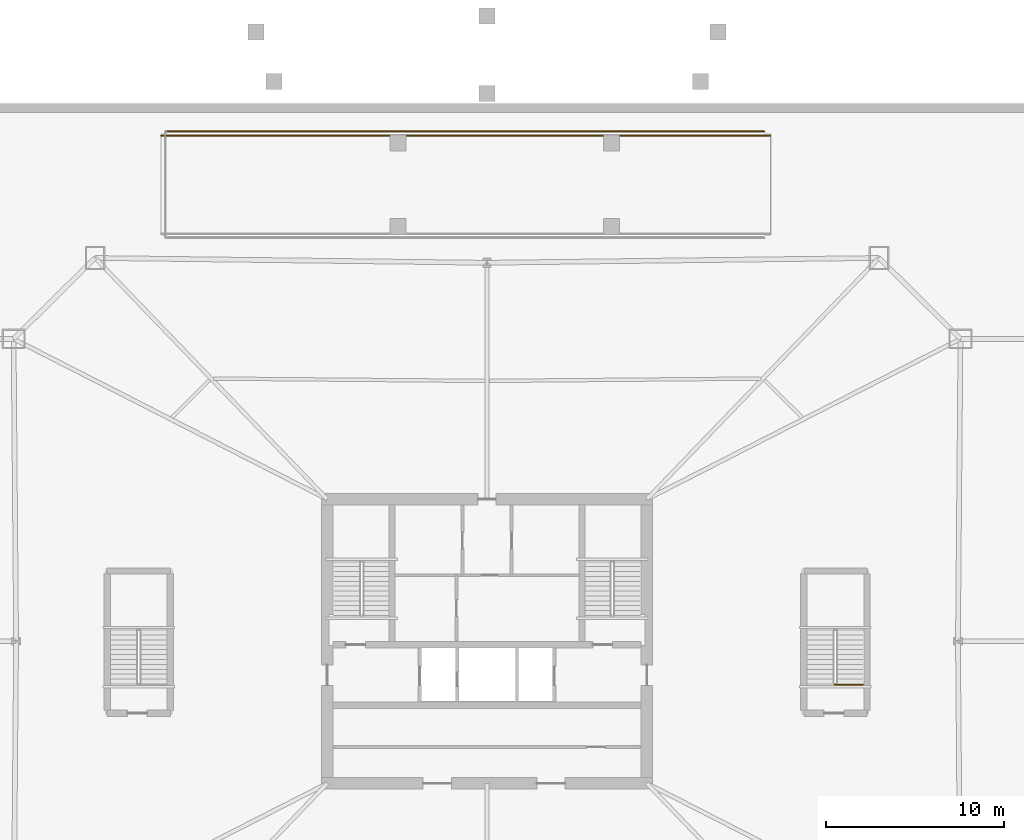
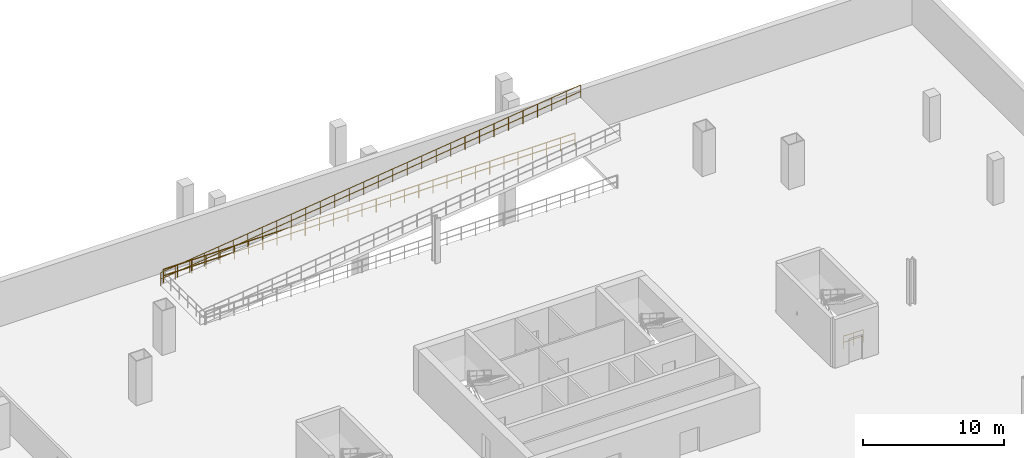
# One storey, part 9 of 9: 3 railings.
"""IFC4 building model written with IfcOpenShell, lengths in metres."""

import ifcopenshell
import ifcopenshell.guid

model = None  # the IFC model being written
_history = None  # IfcOwnerHistory: only IFC2X3 demands one
_inside = {}  # id of a spatial element -> (the spatial element, [elements in it])
_under = {}  # id of a project, library or spatial element -> (it, [spatial elements below it])
_declared = {}  # id of a project -> (the project, [libraries it declares])
_typed = {}  # id of a type object -> (the type object, [elements of that type])
_made_of = {}  # id of a material, layer set ... -> (it, [elements and type objects made of it])


def new_model(schema):
    """Start an empty IFC model of exactly this schema.

    Asked for "IFC4X3", IfcOpenShell would pick the latest addendum, in which some entities
    have other attributes; the version numbers below select the first issue.
    IFC2X3 requires an IfcOwnerHistory on every rooted entity: one is made here for all.
    """
    global model, _history
    if schema == "IFC4X3":
        model = ifcopenshell.file(schema_version=(4, 3, 0, 0))
    else:
        model = ifcopenshell.file(schema=schema)
    _inside.clear()
    _under.clear()
    _declared.clear()
    _typed.clear()
    _made_of.clear()
    _history = None
    if model.schema == "IFC2X3":
        org = make("IfcOrganization", Name="unknown")
        user = make(
            "IfcPersonAndOrganization",
            ThePerson=make("IfcPerson", FamilyName="unknown"),
            TheOrganization=org,
        )
        app = make(
            "IfcApplication",
            ApplicationDeveloper=org,
            Version="unknown",
            ApplicationFullName="unknown",
            ApplicationIdentifier="unknown",
        )
        _history = make(
            "IfcOwnerHistory",
            OwningUser=user,
            OwningApplication=app,
            ChangeAction="ADDED",
            CreationDate=0,
        )
    return model


def make(cls, **values):
    """One entity of the class cls with the attributes given. An attribute that is None is left unset."""
    return model.create_entity(
        cls, **{name: value for name, value in values.items() if value is not None}
    )


def rooted(cls, **values):
    """An entity with a GlobalId (a new one), such as an element, a storey or a relation."""
    return make(cls, GlobalId=ifcopenshell.guid.new(), OwnerHistory=_history, **values)


def si_unit(unit_type, name, prefix=None):
    """IfcSIUnit, for example si_unit("LENGTHUNIT", "METRE", prefix="MILLI")."""
    return make("IfcSIUnit", UnitType=unit_type, Prefix=prefix, Name=name)


def assignment(units):
    """IfcUnitAssignment: the units of a project."""
    return None if units is None else make("IfcUnitAssignment", Units=units)


def point(xyz):
    """IfcCartesianPoint."""
    return None if xyz is None else make("IfcCartesianPoint", Coordinates=xyz)


def direction(xyz):
    """IfcDirection."""
    return None if xyz is None else make("IfcDirection", DirectionRatios=xyz)


def frame(location, z_axis=None, x_axis=None):
    """IfcAxis2Placement3D, a coordinate frame: its origin and axes. An axis left out is left unset."""
    return make(
        "IfcAxis2Placement3D",
        Location=point(location),
        Axis=direction(z_axis),
        RefDirection=direction(x_axis),
    )


def frame_2d(location, x_axis=None):
    """IfcAxis2Placement2D, a coordinate frame in the plane: its origin and x axis."""
    return make(
        "IfcAxis2Placement2D", Location=point(location), RefDirection=direction(x_axis)
    )


def origin():
    """The frame at (0, 0, 0) with its axes left unset."""
    return frame((0.0, 0.0, 0.0))


def origin_2d():
    """The frame at (0, 0) in the plane with its x axis left unset."""
    return frame_2d((0.0, 0.0))


def place(relative_to, where):
    """IfcLocalPlacement: puts the frame where relative to a parent placement (None: the world)."""
    return make(
        "IfcLocalPlacement", PlacementRelTo=relative_to, RelativePlacement=where
    )


def context(
    kind, dimensions, precision=None, world=None, true_north=None, identifier=None
):
    """IfcGeometricRepresentationContext, for example the 3D "Model" context."""
    return make(
        "IfcGeometricRepresentationContext",
        ContextIdentifier=identifier,
        ContextType=kind,
        CoordinateSpaceDimension=dimensions,
        Precision=precision,
        WorldCoordinateSystem=world,
        TrueNorth=true_north,
    )


def subcontext(parent, identifier, kind, view, scale=None):
    """IfcGeometricRepresentationSubContext, for example "Body" below "Model"."""
    return make(
        "IfcGeometricRepresentationSubContext",
        ContextIdentifier=identifier,
        ContextType=kind,
        ParentContext=parent,
        TargetScale=scale,
        TargetView=view,
    )


def project(units=None, contexts=None):
    """IfcProject with its units and contexts."""
    return rooted(
        "IfcProject",
        Name="project",
        RepresentationContexts=contexts,
        UnitsInContext=assignment(units),
    )


def spatial(cls, under=None, at=None, **own):
    """A site, building, storey or space (cls), placed at a placement, below another one or the project."""
    s = rooted(cls, ObjectPlacement=at, **own)
    if under is not None:
        _under.setdefault(under.id(), (under, []))[1].append(s)
    return s


def profile(cls, at=None, kind="AREA", **sizes):
    """A parametric profile (cls). Its sizes go by their IFC names, for example OverallWidth=200.0."""
    return make(cls, ProfileType=kind, Position=at, **sizes)


def circle(**sizes):
    """IfcCircleProfileDef."""
    return profile("IfcCircleProfileDef", **sizes)


def extrude(swept, where, along, depth):
    """IfcExtrudedAreaSolid: the profile swept, set in the frame where, extruded along a direction by depth."""
    return make(
        "IfcExtrudedAreaSolid",
        SweptArea=swept,
        Position=where,
        ExtrudedDirection=direction(along),
        Depth=depth,
    )


def shape(context_of_items, identifier, shape_type, items):
    """IfcShapeRepresentation: the items that make up one representation, for example the "Body"."""
    return make(
        "IfcShapeRepresentation",
        ContextOfItems=context_of_items,
        RepresentationIdentifier=identifier,
        RepresentationType=shape_type,
        Items=items,
    )


def material(Name=None, Category=None):
    """IfcMaterial."""
    return make("IfcMaterial", Name=Name, Category=Category)


def made_of(thing, what):
    """Note that an element or type object is made of a material, layer set ...; save() writes the relation."""
    if what is not None:
        _made_of.setdefault(what.id(), (what, []))[1].append(thing)
    return thing


def type_object(cls, material=None, **own):
    """A type object (cls), such as IfcWallType, which elements share."""
    return made_of(rooted(cls, **own), material)


def element(
    cls,
    number,
    at=None,
    inside=None,
    cuts=None,
    type_object=None,
    material=None,
    context=None,
    identifier="Body",
    shape_type=None,
    held_by="IfcProductDefinitionShape",
    body=None,
    shapes=None,
    **own,
):
    """One element of the class cls, such as IfcWall. Its Tag is "e" and its number.

    at: its placement. inside: the storey or other place that contains it. cuts: it is an
    opening in that element (IfcRelVoidsElement). A single representation is given by context,
    identifier, shape_type and body (its items); several are given by shapes. held_by: the class
    of the entity that holds the representations. save() writes the other relations.
    """
    e = rooted(cls, Tag="e%d" % number, ObjectPlacement=at, **own)
    if body is not None:
        shapes = [shape(context, identifier, shape_type, body)]
    if shapes is not None:
        e.Representation = make(held_by, Representations=shapes)
    if inside is not None:
        _inside.setdefault(inside.id(), (inside, []))[1].append(e)
    if cuts is not None:
        rooted(
            "IfcRelVoidsElement", RelatingBuildingElement=cuts, RelatedOpeningElement=e
        )
    if type_object is not None:
        _typed.setdefault(type_object.id(), (type_object, []))[1].append(e)
    return made_of(e, material)


def aggregate(whole, parts):
    """IfcRelAggregates: a whole, such as a stair, and the parts it consists of."""
    return rooted("IfcRelAggregates", RelatingObject=whole, RelatedObjects=parts)


def save(model, path):
    """Write the relations noted so far, then the file.

    IfcRelAggregates (storeys below a building ...), IfcRelContainedInSpatialStructure (elements
    in a storey), IfcRelDefinesByType, IfcRelAssociatesMaterial and IfcRelDeclares: one each for
    every whole, place, type object, material and project.
    """
    for whole, parts in _under.values():
        aggregate(whole, parts)
    for where, things in _inside.values():
        rooted(
            "IfcRelContainedInSpatialStructure",
            RelatedElements=things,
            RelatingStructure=where,
        )
    for kind, things in _typed.values():
        rooted("IfcRelDefinesByType", RelatedObjects=things, RelatingType=kind)
    for what, things in _made_of.values():
        rooted("IfcRelAssociatesMaterial", RelatedObjects=things, RelatingMaterial=what)
    for by, libraries in _declared.values():
        rooted("IfcRelDeclares", RelatingContext=by, RelatedDefinitions=libraries)
    model.write(path)


model = new_model("IFC4")

# Units and contexts
model_context = context("Model", 3, precision=1e-05, world=origin(), true_north=direction((0.0, 1.0)))
body_context = subcontext(model_context, "Body", "Model", "MODEL_VIEW")
ifc_project = project(units=[si_unit("LENGTHUNIT", "METRE"), si_unit("AREAUNIT", "SQUARE_METRE"), si_unit("VOLUMEUNIT", "CUBIC_METRE"), si_unit("PLANEANGLEUNIT", "RADIAN"), si_unit("MASSUNIT", "GRAM", prefix="KILO")], contexts=[model_context])

# Site, building, storey
site_placement = place(None, origin())
site = spatial("IfcSite", under=ifc_project, at=site_placement, CompositionType="ELEMENT")
building_placement = place(site_placement, origin())
building = spatial("IfcBuilding", under=site, at=building_placement, Name="Caelvoria Tower", CompositionType="ELEMENT")
storey_placement = place(building_placement, frame((0.0, 0.0, -4.199951171875)))
storey = spatial("IfcBuildingStorey", under=building, at=storey_placement, Name="B1", CompositionType="ELEMENT", Elevation=-4.199951171875)

# Railings
ifc_material = material(Name="Brushed Stainless Steel Guardrail", Category="steel")
railing_type = type_object("IfcRailingType", Name="Stair Well and Ramp Guardrail 1120", PredefinedType="GUARDRAIL", material=ifc_material)
railing_1_placement = place(storey_placement, frame((65.550048828125, 29.56005859375, 0.0)))
element("IfcRailing", 1, at=railing_1_placement, inside=storey, type_object=railing_type, Name="ST-04 Bottom Landing Guard B1", PredefinedType="GUARDRAIL", context=body_context, shape_type="SweptSolid", body=[
    extrude(circle(Radius=0.02392578125, at=origin_2d()), frame((0.0, 0.0, 1.09619140625), z_axis=(1.0, 0.0, 0.0), x_axis=(0.0, 1.0, 0.0)), (0.0, 0.0, 1.0), 1.60986328125),
    extrude(circle(Radius=0.02392578125, at=origin_2d()), frame((0.0, 0.0, 0.56005859375), z_axis=(1.0, 0.0, 0.0), x_axis=(0.0, 1.0, 0.0)), (0.0, 0.0, 1.0), 1.60986328125),
    extrude(circle(Radius=0.02099609375, at=origin_2d()), origin(), (0.0, 0.0, 1.0), 1.072021484375),
    extrude(circle(Radius=0.02099609375, at=origin_2d()), frame((0.804931640625, 0.0, 0.0)), (0.0, 0.0, 1.0), 1.072021484375),
    extrude(circle(Radius=0.02099609375, at=origin_2d()), frame((1.60986328125, 0.0, 0.0)), (0.0, 0.0, 1.0), 1.072021484375),
])
railing_2_placement = place(storey_placement, frame((28.0, 60.699951171875, 0.0)))
element("IfcRailing", 2, at=railing_2_placement, inside=storey, type_object=railing_type, Name="Vehicular Ramp Well Guard North B1", PredefinedType="GUARDRAIL", context=body_context, shape_type="SweptSolid", body=[
    extrude(circle(Radius=0.02392578125, at=origin_2d()), frame((0.0, 0.0, 1.1259765625), z_axis=(1.0, 0.0, 0.0), x_axis=(0.0, 1.0, 0.0)), (0.0, 0.0, 1.0), 33.60009765625),
    extrude(circle(Radius=0.02392578125, at=origin_2d()), frame((0.0, 0.0, 0.574951171875), z_axis=(1.0, 0.0, 0.0), x_axis=(0.0, 1.0, 0.0)), (0.0, 0.0, 1.0), 33.60009765625),
    extrude(circle(Radius=0.02099609375, at=origin_2d()), origin(), (0.0, 0.0, 1.0), 1.101806640625),
    extrude(circle(Radius=0.02099609375, at=origin_2d()), frame((1.15869140625, 0.0, 0.0)), (0.0, 0.0, 1.0), 1.101806640625),
    extrude(circle(Radius=0.02099609375, at=origin_2d()), frame((2.317138671875, 0.0, 0.0)), (0.0, 0.0, 1.0), 1.101806640625),
    extrude(circle(Radius=0.02099609375, at=origin_2d()), frame((3.475830078125, 0.0, 0.0)), (0.0, 0.0, 1.0), 1.101806640625),
    extrude(circle(Radius=0.02099609375, at=origin_2d()), frame((4.634521484375, 0.0, 0.0)), (0.0, 0.0, 1.0), 1.101806640625),
    extrude(circle(Radius=0.02099609375, at=origin_2d()), frame((5.793212890625, 0.0, 0.0)), (0.0, 0.0, 1.0), 1.101806640625),
    extrude(circle(Radius=0.02099609375, at=origin_2d()), frame((6.95166015625, 0.0, 0.0)), (0.0, 0.0, 1.0), 1.101806640625),
    extrude(circle(Radius=0.02099609375, at=origin_2d()), frame((8.1103515625, 0.0, 0.0)), (0.0, 0.0, 1.0), 1.101806640625),
    extrude(circle(Radius=0.02099609375, at=origin_2d()), frame((9.26904296875, 0.0, 0.0)), (0.0, 0.0, 1.0), 1.101806640625),
    extrude(circle(Radius=0.02099609375, at=origin_2d()), frame((10.427734375, 0.0, 0.0)), (0.0, 0.0, 1.0), 1.101806640625),
    extrude(circle(Radius=0.02099609375, at=origin_2d()), frame((11.586181640625, 0.0, 0.0)), (0.0, 0.0, 1.0), 1.101806640625),
    extrude(circle(Radius=0.02099609375, at=origin_2d()), frame((12.744873046875, 0.0, 0.0)), (0.0, 0.0, 1.0), 1.101806640625),
    extrude(circle(Radius=0.02099609375, at=origin_2d()), frame((13.903564453125, 0.0, 0.0)), (0.0, 0.0, 1.0), 1.101806640625),
    extrude(circle(Radius=0.02099609375, at=origin_2d()), frame((15.06201171875, 0.0, 0.0)), (0.0, 0.0, 1.0), 1.101806640625),
    extrude(circle(Radius=0.02099609375, at=origin_2d()), frame((16.220703125, 0.0, 0.0)), (0.0, 0.0, 1.0), 1.101806640625),
    extrude(circle(Radius=0.02099609375, at=origin_2d()), frame((17.37939453125, 0.0, 0.0)), (0.0, 0.0, 1.0), 1.101806640625),
    extrude(circle(Radius=0.02099609375, at=origin_2d()), frame((18.5380859375, 0.0, 0.0)), (0.0, 0.0, 1.0), 1.101806640625),
    extrude(circle(Radius=0.02099609375, at=origin_2d()), frame((19.696533203125, 0.0, 0.0)), (0.0, 0.0, 1.0), 1.101806640625),
    extrude(circle(Radius=0.02099609375, at=origin_2d()), frame((20.855224609375, 0.0, 0.0)), (0.0, 0.0, 1.0), 1.101806640625),
    extrude(circle(Radius=0.02099609375, at=origin_2d()), frame((22.013916015625, 0.0, 0.0)), (0.0, 0.0, 1.0), 1.101806640625),
    extrude(circle(Radius=0.02099609375, at=origin_2d()), frame((23.17236328125, 0.0, 0.0)), (0.0, 0.0, 1.0), 1.101806640625),
    extrude(circle(Radius=0.02099609375, at=origin_2d()), frame((24.3310546875, 0.0, 0.0)), (0.0, 0.0, 1.0), 1.101806640625),
    extrude(circle(Radius=0.02099609375, at=origin_2d()), frame((25.48974609375, 0.0, 0.0)), (0.0, 0.0, 1.0), 1.101806640625),
    extrude(circle(Radius=0.02099609375, at=origin_2d()), frame((26.6484375, 0.0, 0.0)), (0.0, 0.0, 1.0), 1.101806640625),
    extrude(circle(Radius=0.02099609375, at=origin_2d()), frame((27.806884765625, 0.0, 0.0)), (0.0, 0.0, 1.0), 1.101806640625),
    extrude(circle(Radius=0.02099609375, at=origin_2d()), frame((28.965576171875, 0.0, 0.0)), (0.0, 0.0, 1.0), 1.101806640625),
    extrude(circle(Radius=0.02099609375, at=origin_2d()), frame((30.124267578125, 0.0, 0.0)), (0.0, 0.0, 1.0), 1.101806640625),
    extrude(circle(Radius=0.02099609375, at=origin_2d()), frame((31.282958984375, 0.0, 0.0)), (0.0, 0.0, 1.0), 1.101806640625),
    extrude(circle(Radius=0.02099609375, at=origin_2d()), frame((32.44140625, 0.0, 0.0)), (0.0, 0.0, 1.0), 1.101806640625),
    extrude(circle(Radius=0.02099609375, at=origin_2d()), frame((33.60009765625, 0.0, 0.0)), (0.0, 0.0, 1.0), 1.101806640625),
])
railing_3_placement = place(storey_placement, frame((27.64990234375, 60.449951171875, 0.0)))
element("IfcRailing", 3, at=railing_3_placement, inside=storey, type_object=railing_type, Name="Vehicular Ramp Sloped Side Guard North B1", PredefinedType="GUARDRAIL", context=body_context, shape_type="SweptSolid", body=[
    extrude(circle(Radius=0.02392578125, at=origin_2d()), frame((0.0, 0.0, 1.1259765625), z_axis=(0.992586580033, 0.0, 0.121539627855), x_axis=(0.0, 1.0, 0.0)), (0.0, 0.0, 1.0), 34.55615234375),
    extrude(circle(Radius=0.02392578125, at=origin_2d()), frame((0.0, 0.0, 0.574951171875), z_axis=(0.992586580033, 0.0, 0.121539627855), x_axis=(0.0, 1.0, 0.0)), (0.0, 0.0, 1.0), 34.55615234375),
    extrude(circle(Radius=0.02099609375, at=origin_2d()), origin(), (0.0, 0.0, 1.0), 1.101806640625),
    extrude(circle(Radius=0.02099609375, at=origin_2d()), frame((1.182861328125, 0.0, 0.144775390625)), (0.0, 0.0, 1.0), 1.101806640625),
    extrude(circle(Radius=0.02099609375, at=origin_2d()), frame((2.365478515625, 0.0, 0.28955078125)), (0.0, 0.0, 1.0), 1.101806640625),
    extrude(circle(Radius=0.02099609375, at=origin_2d()), frame((3.54833984375, 0.0, 0.4345703125)), (0.0, 0.0, 1.0), 1.101806640625),
    extrude(circle(Radius=0.02099609375, at=origin_2d()), frame((4.73095703125, 0.0, 0.579345703125)), (0.0, 0.0, 1.0), 1.101806640625),
    extrude(circle(Radius=0.02099609375, at=origin_2d()), frame((5.913818359375, 0.0, 0.72412109375)), (0.0, 0.0, 1.0), 1.101806640625),
    extrude(circle(Radius=0.02099609375, at=origin_2d()), frame((7.0966796875, 0.0, 0.868896484375)), (0.0, 0.0, 1.0), 1.101806640625),
    extrude(circle(Radius=0.02099609375, at=origin_2d()), frame((8.279296875, 0.0, 1.013671875)), (0.0, 0.0, 1.0), 1.101806640625),
    extrude(circle(Radius=0.02099609375, at=origin_2d()), frame((9.462158203125, 0.0, 1.15869140625)), (0.0, 0.0, 1.0), 1.101806640625),
    extrude(circle(Radius=0.02099609375, at=origin_2d()), frame((10.644775390625, 0.0, 1.303466796875)), (0.0, 0.0, 1.0), 1.101806640625),
    extrude(circle(Radius=0.02099609375, at=origin_2d()), frame((11.82763671875, 0.0, 1.4482421875)), (0.0, 0.0, 1.0), 1.101806640625),
    extrude(circle(Radius=0.02099609375, at=origin_2d()), frame((13.01025390625, 0.0, 1.593017578125)), (0.0, 0.0, 1.0), 1.101806640625),
    extrude(circle(Radius=0.02099609375, at=origin_2d()), frame((14.193115234375, 0.0, 1.73779296875)), (0.0, 0.0, 1.0), 1.101806640625),
    extrude(circle(Radius=0.02099609375, at=origin_2d()), frame((15.3759765625, 0.0, 1.8828125)), (0.0, 0.0, 1.0), 1.101806640625),
    extrude(circle(Radius=0.02099609375, at=origin_2d()), frame((16.55859375, 0.0, 2.027587890625)), (0.0, 0.0, 1.0), 1.101806640625),
    extrude(circle(Radius=0.02099609375, at=origin_2d()), frame((17.741455078125, 0.0, 2.17236328125)), (0.0, 0.0, 1.0), 1.101806640625),
    extrude(circle(Radius=0.02099609375, at=origin_2d()), frame((18.924072265625, 0.0, 2.317138671875)), (0.0, 0.0, 1.0), 1.101806640625),
    extrude(circle(Radius=0.02099609375, at=origin_2d()), frame((20.10693359375, 0.0, 2.462158203125)), (0.0, 0.0, 1.0), 1.101806640625),
    extrude(circle(Radius=0.02099609375, at=origin_2d()), frame((21.289794921875, 0.0, 2.60693359375)), (0.0, 0.0, 1.0), 1.101806640625),
    extrude(circle(Radius=0.02099609375, at=origin_2d()), frame((22.472412109375, 0.0, 2.751708984375)), (0.0, 0.0, 1.0), 1.101806640625),
    extrude(circle(Radius=0.02099609375, at=origin_2d()), frame((23.6552734375, 0.0, 2.896484375)), (0.0, 0.0, 1.0), 1.101806640625),
    extrude(circle(Radius=0.02099609375, at=origin_2d()), frame((24.837890625, 0.0, 3.041259765625)), (0.0, 0.0, 1.0), 1.101806640625),
    extrude(circle(Radius=0.02099609375, at=origin_2d()), frame((26.020751953125, 0.0, 3.186279296875)), (0.0, 0.0, 1.0), 1.101806640625),
    extrude(circle(Radius=0.02099609375, at=origin_2d()), frame((27.203369140625, 0.0, 3.3310546875)), (0.0, 0.0, 1.0), 1.101806640625),
    extrude(circle(Radius=0.02099609375, at=origin_2d()), frame((28.38623046875, 0.0, 3.475830078125)), (0.0, 0.0, 1.0), 1.101806640625),
    extrude(circle(Radius=0.02099609375, at=origin_2d()), frame((29.569091796875, 0.0, 3.62060546875)), (0.0, 0.0, 1.0), 1.101806640625),
    extrude(circle(Radius=0.02099609375, at=origin_2d()), frame((30.751708984375, 0.0, 3.765380859375)), (0.0, 0.0, 1.0), 1.101806640625),
    extrude(circle(Radius=0.02099609375, at=origin_2d()), frame((31.9345703125, 0.0, 3.910400390625)), (0.0, 0.0, 1.0), 1.101806640625),
    extrude(circle(Radius=0.02099609375, at=origin_2d()), frame((33.1171875, 0.0, 4.05517578125)), (0.0, 0.0, 1.0), 1.101806640625),
    extrude(circle(Radius=0.02099609375, at=origin_2d()), frame((34.300048828125, 0.0, 4.199951171875)), (0.0, 0.0, 1.0), 1.101806640625),
])

save(model, "model.ifc")
